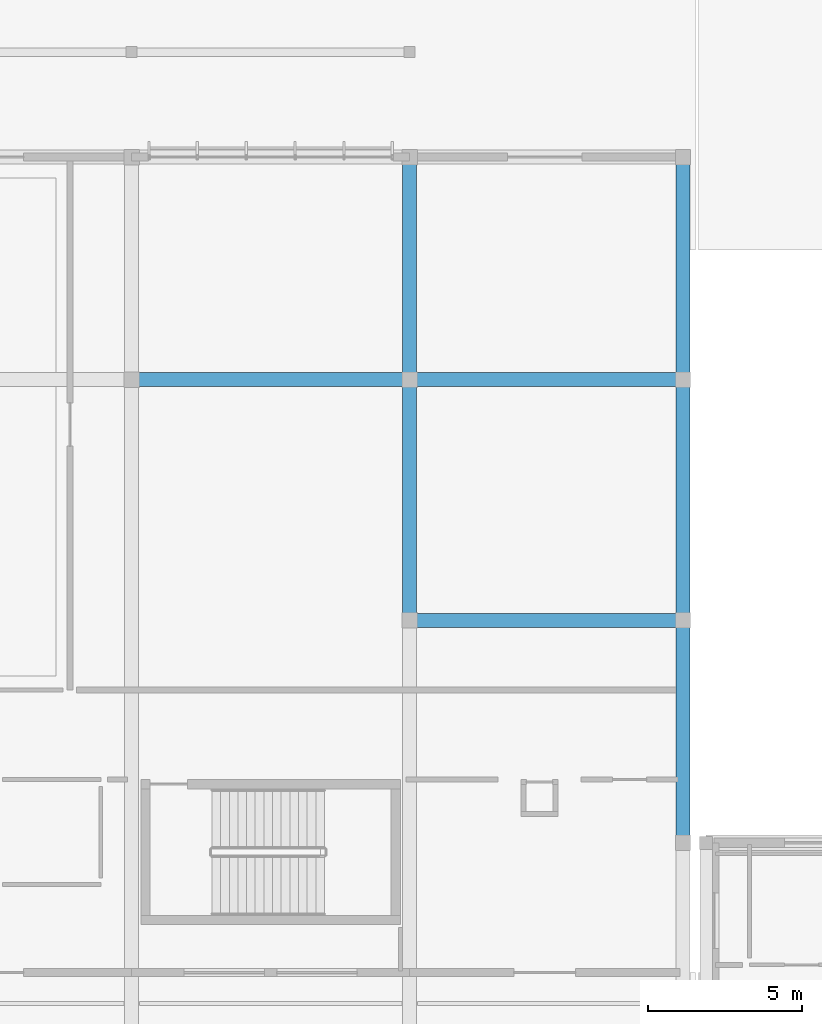
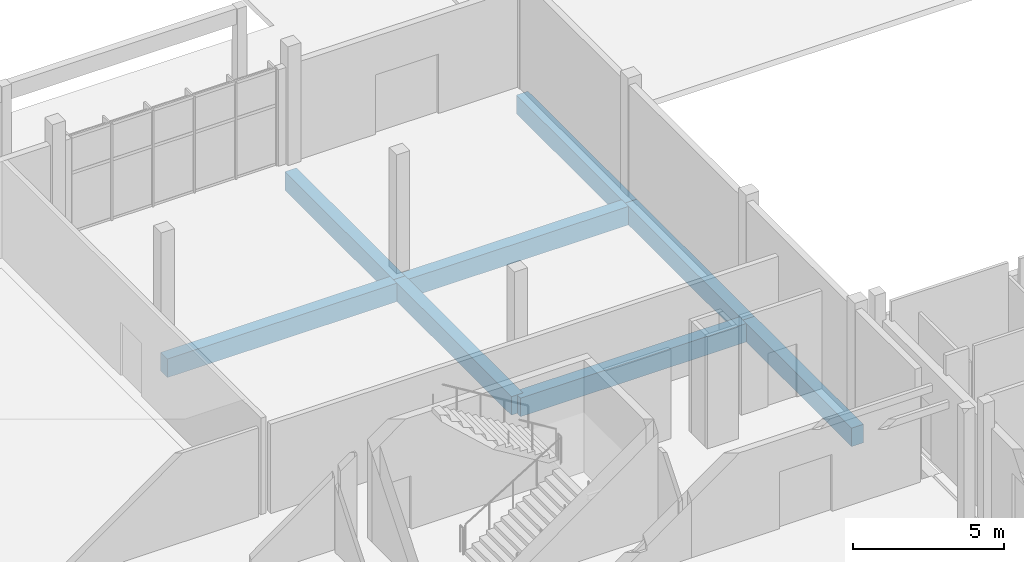
# One storey, part 43 of 151: 8 beams.
"""IFC4 building model written with IfcOpenShell, lengths in metres."""

from ifc_helpers import new_model, si_unit, direction, frame, origin, origin_2d, place, context, subcontext, project, spatial, rectangle, extrude, material, material_profile, profile_set, type_object, element, save


model = new_model("IFC4")

# Units and contexts
model_context = context("Model", 3, precision=1e-05, world=origin(), true_north=direction((0.0, 1.0)))
body_context = subcontext(model_context, "Body", "Model", "MODEL_VIEW")
ifc_project = project(units=[si_unit("LENGTHUNIT", "METRE"), si_unit("AREAUNIT", "SQUARE_METRE"), si_unit("VOLUMEUNIT", "CUBIC_METRE"), si_unit("PLANEANGLEUNIT", "RADIAN"), si_unit("MASSUNIT", "GRAM", prefix="KILO")], contexts=[model_context])

# Site, building, storey
site_placement = place(None, origin())
site = spatial("IfcSite", under=ifc_project, at=site_placement, CompositionType="ELEMENT")
building_placement = place(site_placement, origin())
building = spatial("IfcBuilding", under=site, at=building_placement, Name="Chiffa Square Polytechnic", CompositionType="ELEMENT")
storey_placement = place(building_placement, origin())
storey = spatial("IfcBuildingStorey", under=building, at=storey_placement, Name="L00", CompositionType="ELEMENT", Elevation=0.0)

# Beams
ifc_material = material(Name="Concrete C35/45", Category="concrete")
ifc_material_profile = material_profile(ifc_material, rectangle(XDim=0.449951171875, YDim=0.75, at=origin_2d()), Name="RC 450x750")
ifc_profile_set = profile_set([ifc_material_profile], Name="Concrete C35/45")
beam_type = type_object("IfcBeamType", Name="GB-RC-450X750", PredefinedType="BEAM", material=ifc_profile_set)
beam_1_placement = place(storey_placement, frame((102.60009765625, 36.0, -0.77490234375), z_axis=(1.0, 0.0, 0.0), x_axis=(0.0, 1.0, 0.0)))
element("IfcBeam", 1, at=beam_1_placement, inside=storey, type_object=beam_type, Name="Ground tie beam GB-V4-X-106", PredefinedType="BEAM", context=body_context, shape_type="SweptSolid", body=[
    extrude(rectangle(XDim=0.449951171875, YDim=0.75, at=origin_2d()), origin(), (0.0, 0.0, 1.0), 8.849853515625),
])
beam_2_placement = place(storey_placement, frame((93.60009765625, 43.800048828125, -0.77490234375), z_axis=(1.0, 0.0, 0.0), x_axis=(0.0, 1.0, 0.0)))
element("IfcBeam", 2, at=beam_2_placement, inside=storey, type_object=beam_type, Name="Ground tie beam GB-V4-X-112", PredefinedType="BEAM", context=body_context, shape_type="SweptSolid", body=[
    extrude(rectangle(XDim=0.449951171875, YDim=0.75, at=origin_2d()), origin(), (0.0, 0.0, 1.0), 9.0),
])
beam_3_placement = place(storey_placement, frame((102.60009765625, 43.800048828125, -0.77490234375), z_axis=(1.0, 0.0, 0.0), x_axis=(0.0, 1.0, 0.0)))
element("IfcBeam", 3, at=beam_3_placement, inside=storey, type_object=beam_type, Name="Ground tie beam GB-V4-X-113", PredefinedType="BEAM", context=body_context, shape_type="SweptSolid", body=[
    extrude(rectangle(XDim=0.449951171875, YDim=0.75, at=origin_2d()), origin(), (0.0, 0.0, 1.0), 8.849853515625),
])
beam_4_placement = place(storey_placement, frame((102.60009765625, 36.0, -0.77490234375), z_axis=(0.0, 1.0, 0.0), x_axis=(-1.0, 0.0, 0.0)))
element("IfcBeam", 4, at=beam_4_placement, inside=storey, type_object=beam_type, Name="Ground tie beam GB-V4-Y-139", PredefinedType="BEAM", context=body_context, shape_type="SweptSolid", body=[
    extrude(rectangle(XDim=0.449951171875, YDim=0.75, at=origin_2d()), origin(), (0.0, 0.0, 1.0), 7.800048828125),
])
for number, where, z_axis, x_axis, name in (
    (5, (102.60009765625, 43.800048828125, -0.77490234375), (0.0, 1.0, 0.0), (-1.0, 0.0, 0.0), "Ground tie beam GB-V4-Y-140"),
    (6, (111.449951171875, 28.800048828125, -0.77490234375), (0.0, 1.0, 0.0), (-1.0, 0.0, 0.0), "Ground tie beam GB-V4-Y-142"),
):
    element("IfcBeam", number, at=place(storey_placement, frame(where, z_axis=z_axis, x_axis=x_axis)), inside=storey, type_object=beam_type, Name=name, PredefinedType="BEAM", context=body_context, shape_type="SweptSolid", body=[
        extrude(rectangle(XDim=0.449951171875, YDim=0.75, at=origin_2d()), origin(), (0.0, 0.0, 1.0), 7.199951171875),
    ])
beam_5_placement = place(storey_placement, frame((111.449951171875, 36.0, -0.77490234375), z_axis=(0.0, 1.0, 0.0), x_axis=(-1.0, 0.0, 0.0)))
element("IfcBeam", 7, at=beam_5_placement, inside=storey, type_object=beam_type, Name="Ground tie beam GB-V4-Y-143", PredefinedType="BEAM", context=body_context, shape_type="SweptSolid", body=[
    extrude(rectangle(XDim=0.449951171875, YDim=0.75, at=origin_2d()), origin(), (0.0, 0.0, 1.0), 7.800048828125),
])
beam_6_placement = place(storey_placement, frame((111.449951171875, 43.800048828125, -0.77490234375), z_axis=(0.0, 1.0, 0.0), x_axis=(-1.0, 0.0, 0.0)))
element("IfcBeam", 8, at=beam_6_placement, inside=storey, type_object=beam_type, Name="Ground tie beam GB-V4-Y-144", PredefinedType="BEAM", context=body_context, shape_type="SweptSolid", body=[
    extrude(rectangle(XDim=0.449951171875, YDim=0.75, at=origin_2d()), origin(), (0.0, 0.0, 1.0), 7.199951171875),
])

save(model, "model.ifc")
